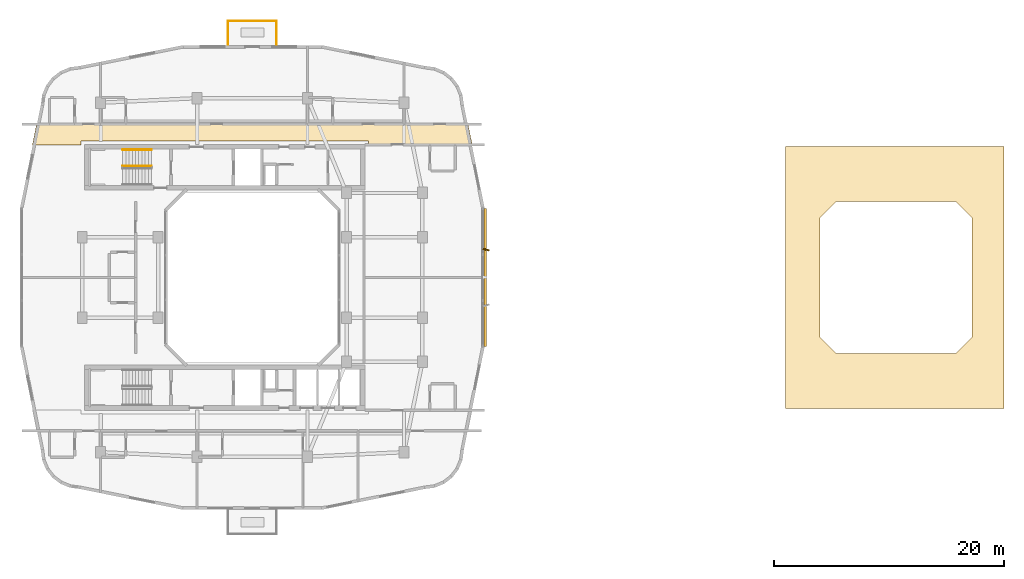
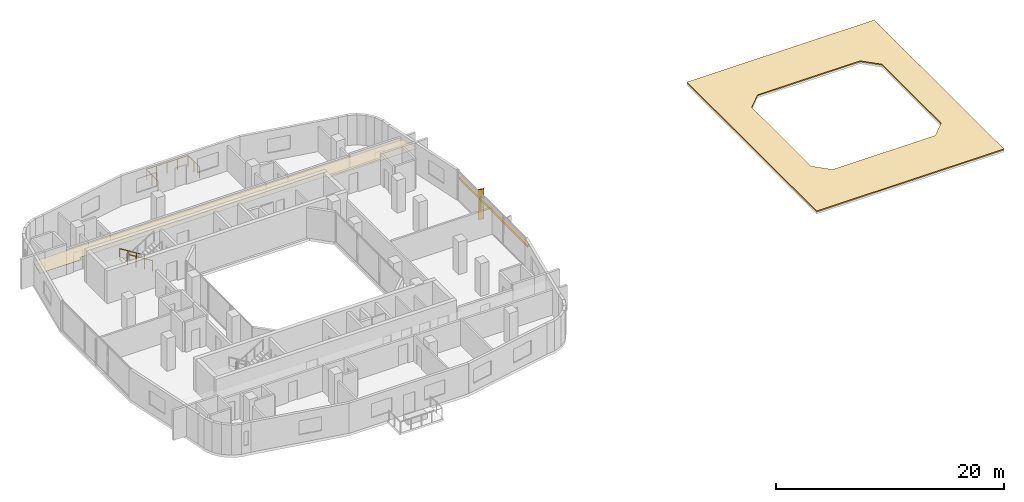
# One storey, part 13 of 13: 5 railings, 2 coverings, 2 shading devices.
"""IFC4 building model written with IfcOpenShell, lengths in metres."""

import ifcopenshell
import ifcopenshell.guid

model = None  # the IFC model being written
_history = None  # IfcOwnerHistory: only IFC2X3 demands one
_inside = {}  # id of a spatial element -> (the spatial element, [elements in it])
_under = {}  # id of a project, library or spatial element -> (it, [spatial elements below it])
_declared = {}  # id of a project -> (the project, [libraries it declares])
_typed = {}  # id of a type object -> (the type object, [elements of that type])
_made_of = {}  # id of a material, layer set ... -> (it, [elements and type objects made of it])


def new_model(schema):
    """Start an empty IFC model of exactly this schema.

    Asked for "IFC4X3", IfcOpenShell would pick the latest addendum, in which some entities
    have other attributes; the version numbers below select the first issue.
    IFC2X3 requires an IfcOwnerHistory on every rooted entity: one is made here for all.
    """
    global model, _history
    if schema == "IFC4X3":
        model = ifcopenshell.file(schema_version=(4, 3, 0, 0))
    else:
        model = ifcopenshell.file(schema=schema)
    _inside.clear()
    _under.clear()
    _declared.clear()
    _typed.clear()
    _made_of.clear()
    _history = None
    if model.schema == "IFC2X3":
        org = make("IfcOrganization", Name="unknown")
        user = make(
            "IfcPersonAndOrganization",
            ThePerson=make("IfcPerson", FamilyName="unknown"),
            TheOrganization=org,
        )
        app = make(
            "IfcApplication",
            ApplicationDeveloper=org,
            Version="unknown",
            ApplicationFullName="unknown",
            ApplicationIdentifier="unknown",
        )
        _history = make(
            "IfcOwnerHistory",
            OwningUser=user,
            OwningApplication=app,
            ChangeAction="ADDED",
            CreationDate=0,
        )
    return model


def make(cls, **values):
    """One entity of the class cls with the attributes given. An attribute that is None is left unset."""
    return model.create_entity(
        cls, **{name: value for name, value in values.items() if value is not None}
    )


def rooted(cls, **values):
    """An entity with a GlobalId (a new one), such as an element, a storey or a relation."""
    return make(cls, GlobalId=ifcopenshell.guid.new(), OwnerHistory=_history, **values)


def si_unit(unit_type, name, prefix=None):
    """IfcSIUnit, for example si_unit("LENGTHUNIT", "METRE", prefix="MILLI")."""
    return make("IfcSIUnit", UnitType=unit_type, Prefix=prefix, Name=name)


def derived_unit(unit_type, elements):
    """IfcDerivedUnit: a product of units, each with its exponent."""
    return make(
        "IfcDerivedUnit",
        Elements=[
            make("IfcDerivedUnitElement", Unit=unit, Exponent=power)
            for unit, power in elements
        ],
        UnitType=unit_type,
    )


def assignment(units):
    """IfcUnitAssignment: the units of a project."""
    return None if units is None else make("IfcUnitAssignment", Units=units)


def point(xyz):
    """IfcCartesianPoint."""
    return None if xyz is None else make("IfcCartesianPoint", Coordinates=xyz)


def direction(xyz):
    """IfcDirection."""
    return None if xyz is None else make("IfcDirection", DirectionRatios=xyz)


def frame(location, z_axis=None, x_axis=None):
    """IfcAxis2Placement3D, a coordinate frame: its origin and axes. An axis left out is left unset."""
    return make(
        "IfcAxis2Placement3D",
        Location=point(location),
        Axis=direction(z_axis),
        RefDirection=direction(x_axis),
    )


def frame_2d(location, x_axis=None):
    """IfcAxis2Placement2D, a coordinate frame in the plane: its origin and x axis."""
    return make(
        "IfcAxis2Placement2D", Location=point(location), RefDirection=direction(x_axis)
    )


def origin():
    """The frame at (0, 0, 0) with its axes left unset."""
    return frame((0.0, 0.0, 0.0))


def origin_2d():
    """The frame at (0, 0) in the plane with its x axis left unset."""
    return frame_2d((0.0, 0.0))


def place(relative_to, where):
    """IfcLocalPlacement: puts the frame where relative to a parent placement (None: the world)."""
    return make(
        "IfcLocalPlacement", PlacementRelTo=relative_to, RelativePlacement=where
    )


def context(
    kind, dimensions, precision=None, world=None, true_north=None, identifier=None
):
    """IfcGeometricRepresentationContext, for example the 3D "Model" context."""
    return make(
        "IfcGeometricRepresentationContext",
        ContextIdentifier=identifier,
        ContextType=kind,
        CoordinateSpaceDimension=dimensions,
        Precision=precision,
        WorldCoordinateSystem=world,
        TrueNorth=true_north,
    )


def subcontext(parent, identifier, kind, view, scale=None):
    """IfcGeometricRepresentationSubContext, for example "Body" below "Model"."""
    return make(
        "IfcGeometricRepresentationSubContext",
        ContextIdentifier=identifier,
        ContextType=kind,
        ParentContext=parent,
        TargetScale=scale,
        TargetView=view,
    )


def project(units=None, contexts=None):
    """IfcProject with its units and contexts."""
    return rooted(
        "IfcProject",
        Name="project",
        RepresentationContexts=contexts,
        UnitsInContext=assignment(units),
    )


def spatial(cls, under=None, at=None, **own):
    """A site, building, storey or space (cls), placed at a placement, below another one or the project."""
    s = rooted(cls, ObjectPlacement=at, **own)
    if under is not None:
        _under.setdefault(under.id(), (under, []))[1].append(s)
    return s


def polyline(points):
    """IfcPolyline through the points."""
    return make("IfcPolyline", Points=[point(p) for p in points])


def profile(cls, at=None, kind="AREA", **sizes):
    """A parametric profile (cls). Its sizes go by their IFC names, for example OverallWidth=200.0."""
    return make(cls, ProfileType=kind, Position=at, **sizes)


def rectangle(**sizes):
    """IfcRectangleProfileDef."""
    return profile("IfcRectangleProfileDef", **sizes)


def circle(**sizes):
    """IfcCircleProfileDef."""
    return profile("IfcCircleProfileDef", **sizes)


def outline(outer, holes=None, kind="AREA"):
    """IfcArbitraryClosedProfileDef: a profile drawn as a closed curve; with holes, ...WithVoids."""
    if holes is None:
        return make("IfcArbitraryClosedProfileDef", ProfileType=kind, OuterCurve=outer)
    return make(
        "IfcArbitraryProfileDefWithVoids",
        ProfileType=kind,
        OuterCurve=outer,
        InnerCurves=holes,
    )


def extrude(swept, where, along, depth):
    """IfcExtrudedAreaSolid: the profile swept, set in the frame where, extruded along a direction by depth."""
    return make(
        "IfcExtrudedAreaSolid",
        SweptArea=swept,
        Position=where,
        ExtrudedDirection=direction(along),
        Depth=depth,
    )


def shape(context_of_items, identifier, shape_type, items):
    """IfcShapeRepresentation: the items that make up one representation, for example the "Body"."""
    return make(
        "IfcShapeRepresentation",
        ContextOfItems=context_of_items,
        RepresentationIdentifier=identifier,
        RepresentationType=shape_type,
        Items=items,
    )


def material(Name=None, Category=None):
    """IfcMaterial."""
    return make("IfcMaterial", Name=Name, Category=Category)


def layer(
    of_material, thickness, ventilated=None, Name=None, Category=None, Priority=None
):
    """IfcMaterialLayer: one layer of a wall or slab, of a material (None: an air gap)."""
    return make(
        "IfcMaterialLayer",
        Material=of_material,
        LayerThickness=thickness,
        IsVentilated=ventilated,
        Name=Name,
        Category=Category,
        Priority=Priority,
    )


def layer_set(layers, Name=None):
    """IfcMaterialLayerSet."""
    return make("IfcMaterialLayerSet", MaterialLayers=layers, LayerSetName=Name)


def made_of(thing, what):
    """Note that an element or type object is made of a material, layer set ...; save() writes the relation."""
    if what is not None:
        _made_of.setdefault(what.id(), (what, []))[1].append(thing)
    return thing


def type_object(cls, material=None, **own):
    """A type object (cls), such as IfcWallType, which elements share."""
    return made_of(rooted(cls, **own), material)


def element(
    cls,
    number,
    at=None,
    inside=None,
    cuts=None,
    type_object=None,
    material=None,
    context=None,
    identifier="Body",
    shape_type=None,
    held_by="IfcProductDefinitionShape",
    body=None,
    shapes=None,
    **own,
):
    """One element of the class cls, such as IfcWall. Its Tag is "e" and its number.

    at: its placement. inside: the storey or other place that contains it. cuts: it is an
    opening in that element (IfcRelVoidsElement). A single representation is given by context,
    identifier, shape_type and body (its items); several are given by shapes. held_by: the class
    of the entity that holds the representations. save() writes the other relations.
    """
    e = rooted(cls, Tag="e%d" % number, ObjectPlacement=at, **own)
    if body is not None:
        shapes = [shape(context, identifier, shape_type, body)]
    if shapes is not None:
        e.Representation = make(held_by, Representations=shapes)
    if inside is not None:
        _inside.setdefault(inside.id(), (inside, []))[1].append(e)
    if cuts is not None:
        rooted(
            "IfcRelVoidsElement", RelatingBuildingElement=cuts, RelatedOpeningElement=e
        )
    if type_object is not None:
        _typed.setdefault(type_object.id(), (type_object, []))[1].append(e)
    return made_of(e, material)


def aggregate(whole, parts):
    """IfcRelAggregates: a whole, such as a stair, and the parts it consists of."""
    return rooted("IfcRelAggregates", RelatingObject=whole, RelatedObjects=parts)


def save(model, path):
    """Write the relations noted so far, then the file.

    IfcRelAggregates (storeys below a building ...), IfcRelContainedInSpatialStructure (elements
    in a storey), IfcRelDefinesByType, IfcRelAssociatesMaterial and IfcRelDeclares: one each for
    every whole, place, type object, material and project.
    """
    for whole, parts in _under.values():
        aggregate(whole, parts)
    for where, things in _inside.values():
        rooted(
            "IfcRelContainedInSpatialStructure",
            RelatedElements=things,
            RelatingStructure=where,
        )
    for kind, things in _typed.values():
        rooted("IfcRelDefinesByType", RelatedObjects=things, RelatingType=kind)
    for what, things in _made_of.values():
        rooted("IfcRelAssociatesMaterial", RelatedObjects=things, RelatingMaterial=what)
    for by, libraries in _declared.values():
        rooted("IfcRelDeclares", RelatingContext=by, RelatedDefinitions=libraries)
    model.write(path)


model = new_model("IFC4")

# Units and contexts
model_context = context("Model", 3, precision=1e-05, world=origin(), true_north=direction((0.0, 1.0)))
body_context = subcontext(model_context, "Body", "Model", "MODEL_VIEW")
ifc_project = project(units=[si_unit("LENGTHUNIT", "METRE"), si_unit("AREAUNIT", "SQUARE_METRE"), si_unit("VOLUMEUNIT", "CUBIC_METRE"), si_unit("PLANEANGLEUNIT", "RADIAN"), si_unit("MASSUNIT", "GRAM", prefix="KILO"), derived_unit("THERMALTRANSMITTANCEUNIT", [(si_unit("POWERUNIT", "WATT"), 1), (si_unit("LENGTHUNIT", "METRE"), -2), (si_unit("THERMODYNAMICTEMPERATUREUNIT", "KELVIN"), -1)])], contexts=[model_context])

# Site, building, storey
site_placement = place(None, origin())
site = spatial("IfcSite", under=ifc_project, at=site_placement, CompositionType="ELEMENT")
building_placement = place(site_placement, origin())
building = spatial("IfcBuilding", under=site, at=building_placement, Name="Kivonza Crest Hotel", CompositionType="ELEMENT")
storey_placement = place(building_placement, frame((0.0, 0.0, 134.5)))
storey = spatial("IfcBuildingStorey", under=building, at=storey_placement, Name="L36", CompositionType="ELEMENT", Elevation=134.5)

# Coverings
ifc_material_1 = material(Name="Moisture-resistant gypsum plasterboard ceiling", Category="gypsum")
ifc_layer_1 = layer(ifc_material_1, 0.030029296875)
ifc_layer_set_1 = layer_set([ifc_layer_1], Name="Moisture-resistant gypsum plasterboard ceiling")
covering_type_1 = type_object("IfcCoveringType", Name="CV-CEIL-GYP", PredefinedType="CEILING", material=ifc_layer_set_1)
covering_1_placement = place(storey_placement, frame((0.0, 0.0, 2.449951171875)))
element("IfcCovering", 1, at=covering_1_placement, inside=storey, type_object=covering_type_1, Name="L36 Hotel North Guest Corridor suspended ceiling", PredefinedType="CEILING", context=body_context, shape_type="SweptSolid", body=[
    extrude(outline(polyline([(2.235107421875, 38.389892578125), (1.85791015625, 36.52001953125), (6.10009765625, 36.52001953125), (6.10009765625, 36.860107421875), (31.10009765625, 36.860107421875), (31.10009765625, 36.52001953125), (40.14208984375, 36.52001953125), (39.764892578125, 38.389892578125), (2.235107421875, 38.389892578125)])), origin(), (0.0, 0.0, 1.0), 0.030029296875),
])
ifc_material_2 = material(Name="TPO waterproofing membrane over rigid mineral insulation", Category="insulation")
ifc_layer_2 = layer(ifc_material_2, 0.1201171875)
ifc_layer_set_2 = layer_set([ifc_layer_2], Name="TPO waterproofing membrane over rigid mineral insulation")
covering_type_2 = type_object("IfcCoveringType", Name="CV-ROOF-160", PredefinedType="ROOFING", material=ifc_layer_set_2)
covering_2_placement = place(storey_placement, origin())
element("IfcCovering", 2, at=covering_2_placement, inside=storey, type_object=covering_type_2, Name="Companion rooftop pavilion waterproofing membrane", PredefinedType="ROOFING", context=body_context, shape_type="SweptSolid", body=[
    extrude(outline(polyline([(67.39990234375, 13.60009765625), (86.39990234375, 13.60009765625), (86.39990234375, 36.39990234375), (67.39990234375, 36.39990234375), (67.39990234375, 13.60009765625)]), holes=[polyline([(71.800048828125, 18.39990234375), (82.199951171875, 18.39990234375), (83.60009765625, 19.800048828125), (83.60009765625, 30.199951171875), (82.199951171875, 31.60009765625), (71.800048828125, 31.60009765625), (70.39990234375, 30.199951171875), (70.39990234375, 19.800048828125), (71.800048828125, 18.39990234375)])]), origin(), (0.0, 0.0, 1.0), 0.1201171875),
])

# Railings
ifc_material_3 = material(Name="Brushed stainless steel handrail", Category="steel")
railing_type_1 = type_object("IfcRailingType", Name="RL-HAND-900", PredefinedType="HANDRAIL", material=ifc_material_3)
railing_1_placement = place(storey_placement, frame((12.239990234375, 36.110107421875, 0.175048828125)))
element("IfcRailing", 3, at=railing_1_placement, inside=storey, type_object=railing_type_1, Name="L36 ST-T1-N stair handrail 1", PredefinedType="HANDRAIL", context=body_context, shape_type="SweptSolid", body=[
    extrude(circle(Radius=0.02392578125, at=origin_2d()), frame((0.0, 0.0, 0.8759765625), z_axis=(-0.848007534815, 0.0, 0.529984170421), x_axis=(0.0, -1.0, 0.0)), (0.0, 0.0, 1.0), 2.9716796875),
    extrude(circle(Radius=0.02099609375, at=origin_2d()), origin(), (0.0, 0.0, 1.0), 0.851806640625),
    extrude(circle(Radius=0.02099609375, at=origin_2d()), frame((-0.840087890625, 0.0, 0.52490234375)), (0.0, 0.0, 1.0), 0.851806640625),
    extrude(circle(Radius=0.02099609375, at=origin_2d()), frame((-1.679931640625, 0.0, 1.050048828125)), (0.0, 0.0, 1.0), 0.851806640625),
    extrude(circle(Radius=0.02099609375, at=origin_2d()), frame((-2.52001953125, 0.0, 1.574951171875)), (0.0, 0.0, 1.0), 0.851806640625),
])
ifc_material_4 = material(Name="Painted steel balustrade", Category="steel")
railing_type_2 = type_object("IfcRailingType", Name="RL-STAIR-1150", PredefinedType="BALUSTRADE", material=ifc_material_4)
railing_2_placement = place(storey_placement, frame((12.239990234375, 34.7099609375, 0.175048828125)))
element("IfcRailing", 4, at=railing_2_placement, inside=storey, type_object=railing_type_2, Name="L36 ST-T1-N stair guard 1", PredefinedType="BALUSTRADE", context=body_context, shape_type="SweptSolid", body=[
    extrude(circle(Radius=0.02392578125, at=origin_2d()), frame((0.0, 0.0, 1.1259765625), z_axis=(-0.848007534815, 0.0, 0.529984170421), x_axis=(0.0, -1.0, 0.0)), (0.0, 0.0, 1.0), 2.9716796875),
    extrude(circle(Radius=0.02099609375, at=origin_2d()), origin(), (0.0, 0.0, 1.0), 1.101806640625),
    extrude(circle(Radius=0.02099609375, at=origin_2d()), frame((-0.840087890625, 0.0, 0.52490234375)), (0.0, 0.0, 1.0), 1.101806640625),
    extrude(circle(Radius=0.02099609375, at=origin_2d()), frame((-1.679931640625, 0.0, 1.050048828125)), (0.0, 0.0, 1.0), 1.101806640625),
    extrude(circle(Radius=0.02099609375, at=origin_2d()), frame((-2.52001953125, 0.0, 1.574951171875)), (0.0, 0.0, 1.0), 1.101806640625),
])
ifc_material_5 = material(Name="Laminated glass and stainless steel balustrade", Category="steel")
railing_type_3 = type_object("IfcRailingType", Name="RL-TERR-1150", PredefinedType="BALUSTRADE", material=ifc_material_5)
railing_3_placement = place(storey_placement, frame((18.8798828125, 45.280029296875, 0.0)))
element("IfcRailing", 5, at=railing_3_placement, inside=storey, type_object=railing_type_3, Name="L36 T1-L36-SG-NE perimeter safety balustrade 1", PredefinedType="BALUSTRADE", context=body_context, shape_type="SweptSolid", body=[
    extrude(circle(Radius=0.02392578125, at=origin_2d()), frame((0.0, 0.0, 1.1259765625), z_axis=(0.0, 1.0, 0.0), x_axis=(-1.0, 0.0, 0.0)), (0.0, 0.0, 1.0), 2.0400390625),
    extrude(circle(Radius=0.02099609375, at=origin_2d()), origin(), (0.0, 0.0, 1.0), 1.101806640625),
    extrude(circle(Radius=0.02099609375, at=origin_2d()), frame((0.0, 1.02001953125, 0.0)), (0.0, 0.0, 1.0), 1.101806640625),
    extrude(circle(Radius=0.02099609375, at=origin_2d()), frame((0.0, 2.0400390625, 0.0)), (0.0, 0.0, 1.0), 1.101806640625),
])
railing_4_placement = place(storey_placement, frame((18.8798828125, 47.320068359375, 0.0)))
element("IfcRailing", 6, at=railing_4_placement, inside=storey, type_object=railing_type_3, Name="L36 T1-L36-SG-NE perimeter safety balustrade 2", PredefinedType="BALUSTRADE", context=body_context, shape_type="SweptSolid", body=[
    extrude(circle(Radius=0.02392578125, at=origin_2d()), frame((0.0, 0.0, 1.1259765625), z_axis=(1.0, 0.0, 0.0), x_axis=(0.0, 1.0, 0.0)), (0.0, 0.0, 1.0), 4.240234375),
    extrude(circle(Radius=0.02099609375, at=origin_2d()), origin(), (0.0, 0.0, 1.0), 1.101806640625),
    extrude(circle(Radius=0.02099609375, at=origin_2d()), frame((1.06005859375, 0.0, 0.0)), (0.0, 0.0, 1.0), 1.101806640625),
    extrude(circle(Radius=0.02099609375, at=origin_2d()), frame((2.1201171875, 0.0, 0.0)), (0.0, 0.0, 1.0), 1.101806640625),
    extrude(circle(Radius=0.02099609375, at=origin_2d()), frame((3.18017578125, 0.0, 0.0)), (0.0, 0.0, 1.0), 1.101806640625),
    extrude(circle(Radius=0.02099609375, at=origin_2d()), frame((4.240234375, 0.0, 0.0)), (0.0, 0.0, 1.0), 1.101806640625),
])
railing_5_placement = place(storey_placement, frame((23.1201171875, 47.320068359375, 0.0)))
element("IfcRailing", 7, at=railing_5_placement, inside=storey, type_object=railing_type_3, Name="L36 T1-L36-SG-NE perimeter safety balustrade 3", PredefinedType="BALUSTRADE", context=body_context, shape_type="SweptSolid", body=[
    extrude(circle(Radius=0.02392578125, at=origin_2d()), frame((0.0, 0.0, 1.1259765625), z_axis=(0.0, -1.0, 0.0), x_axis=(1.0, 0.0, 0.0)), (0.0, 0.0, 1.0), 2.0400390625),
    extrude(circle(Radius=0.02099609375, at=origin_2d()), origin(), (0.0, 0.0, 1.0), 1.101806640625),
    extrude(circle(Radius=0.02099609375, at=origin_2d()), frame((0.0, -1.02001953125, 0.0)), (0.0, 0.0, 1.0), 1.101806640625),
    extrude(circle(Radius=0.02099609375, at=origin_2d()), frame((0.0, -2.0400390625, 0.0)), (0.0, 0.0, 1.0), 1.101806640625),
])

# Shading devices
ifc_material_6 = material(Name="Kiln-fired Nairobi red-ochre terracotta", Category="masonry")
shading_device_type_1 = type_object("IfcShadingDeviceType", Name="SH-BAGUETTE-300", PredefinedType="USERDEFINED", material=ifc_material_6)
shading_device_1_placement = place(storey_placement, frame((41.280029296875, 25.0, 2.1240234375), z_axis=(0.0, 0.0, 1.0), x_axis=(0.0, 1.0, 0.0)))
element("IfcShadingDevice", 8, at=shading_device_1_placement, inside=storey, type_object=shading_device_type_1, Name="L36 terracotta baguette screen CW-T1-L36-17", ObjectType="BAGUETTE", PredefinedType="USERDEFINED", context=body_context, shape_type="SweptSolid", body=[
    extrude(rectangle(XDim=12.0, YDim=0.219970703125, at=origin_2d()), origin(), (0.0, 0.0, 1.0), 0.260009765625),
])
ifc_material_7 = material(Name="Kiln-fired terracotta over extruded aluminium spine", Category="masonry")
shading_device_type_2 = type_object("IfcShadingDeviceType", Name="SH-FIN-550", PredefinedType="USERDEFINED", material=ifc_material_7)
shading_device_2_placement = place(storey_placement, frame((41.340087890625, 27.424072265625, 0.0), z_axis=(0.0, 0.0, 1.0), x_axis=(0.2419218956, 0.970295726276, 0.0)))
element("IfcShadingDevice", 9, at=shading_device_2_placement, inside=storey, type_object=shading_device_type_2, Name="L36 vertical solar shading fin CW-T1-L36-17-2", ObjectType="FIN", PredefinedType="USERDEFINED", context=body_context, shape_type="SweptSolid", body=[
    extrude(rectangle(XDim=0.1201171875, YDim=0.550048828125, at=origin_2d()), origin(), (0.0, 0.0, 1.0), 3.219970703125),
])

save(model, "model.ifc")
